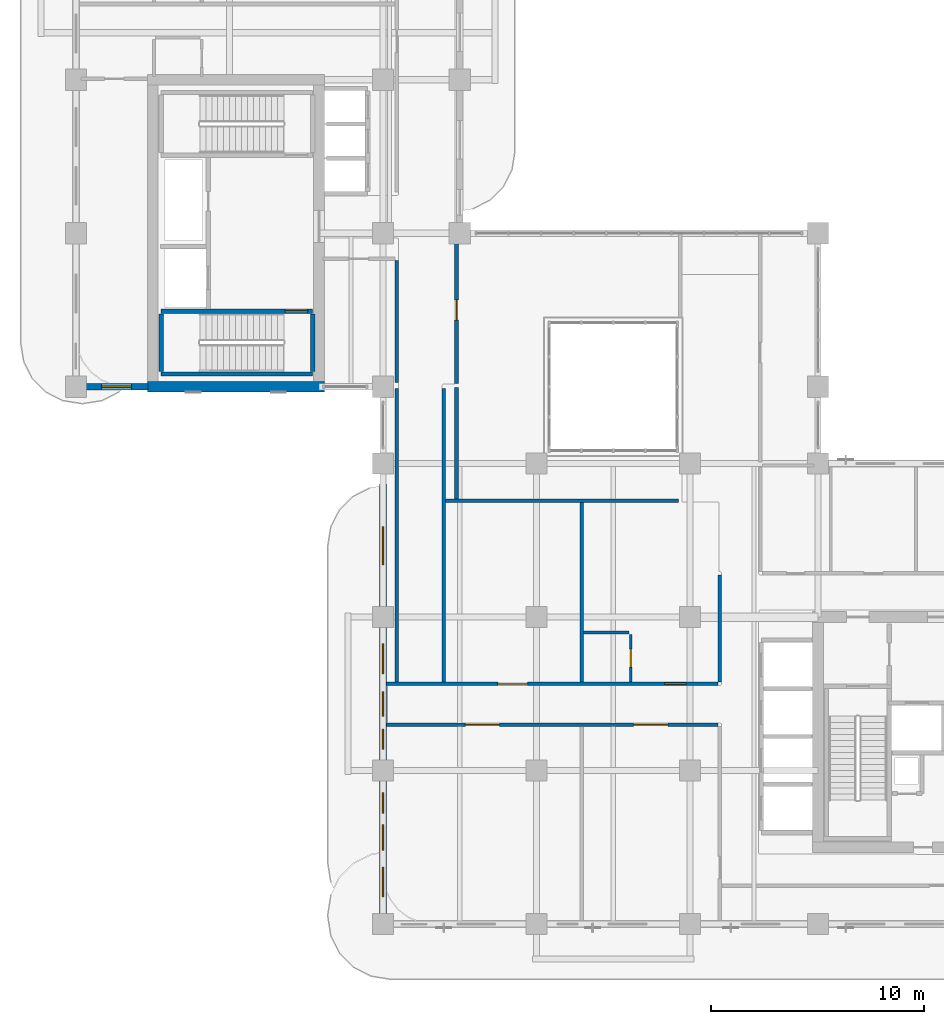
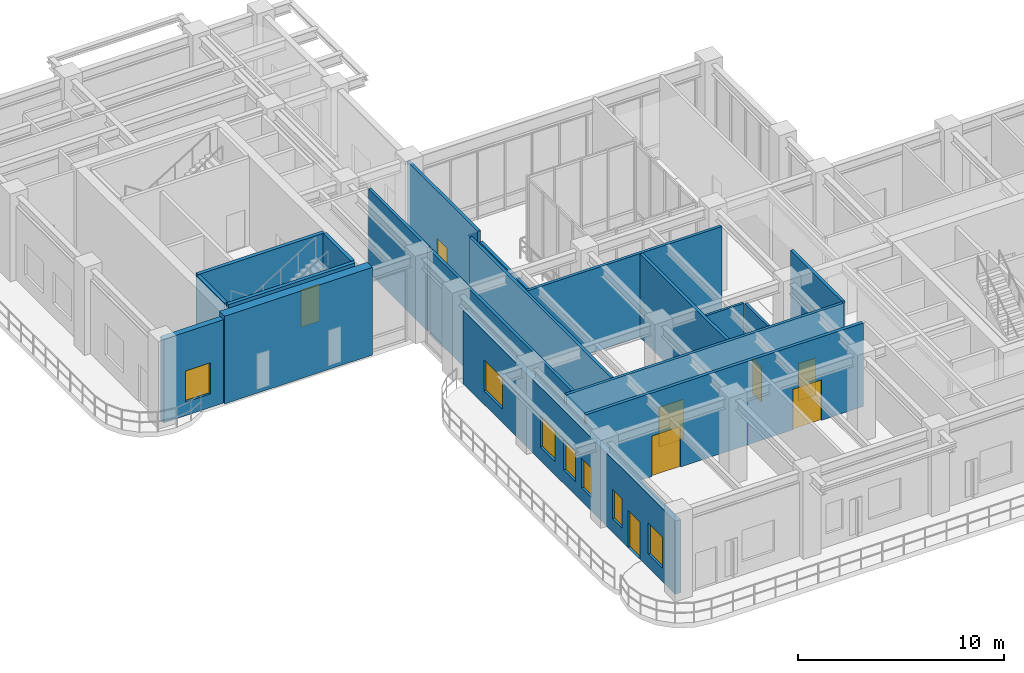
# One storey, part 11 of 21: 19 walls, 8 doors, 7 windows, 15 openings.
"""IFC4 building model written with IfcOpenShell, lengths in metres."""

from ifc_helpers import new_model, si_unit, derived_unit, direction, frame, frame_2d, origin, place, context, subcontext, project, spatial, rectangle, extrude, source, transform, mapped, material, layer, layer_set, type_object, type_shapes, element, fill, save


model = new_model("IFC4")

# Units and contexts
model_context = context("Model", 3, precision=1e-05, world=origin(), true_north=direction((0.0, 1.0)))
body_context = subcontext(model_context, "Body", "Model", "MODEL_VIEW")
ifc_project = project(units=[si_unit("LENGTHUNIT", "METRE"), si_unit("AREAUNIT", "SQUARE_METRE"), si_unit("VOLUMEUNIT", "CUBIC_METRE"), si_unit("PLANEANGLEUNIT", "RADIAN"), si_unit("MASSUNIT", "GRAM", prefix="KILO"), si_unit("THERMODYNAMICTEMPERATUREUNIT", "KELVIN"), si_unit("POWERUNIT", "WATT"), derived_unit("THERMALTRANSMITTANCEUNIT", [(si_unit("POWERUNIT", "WATT"), 1), (si_unit("AREAUNIT", "SQUARE_METRE"), -1), (si_unit("THERMODYNAMICTEMPERATUREUNIT", "KELVIN"), -1)])], contexts=[model_context])

# Site, building, storey
site_placement = place(None, origin())
site = spatial("IfcSite", under=ifc_project, at=site_placement, CompositionType="ELEMENT")
building_placement = place(site_placement, origin())
building = spatial("IfcBuilding", under=site, at=building_placement, Name="Zahravan Archway Hotel and Residences", CompositionType="ELEMENT")
storey_placement = place(building_placement, frame((0.0, 0.0, 145.10009765625)))
storey = spatial("IfcBuildingStorey", under=building, at=storey_placement, Name="L36", CompositionType="ELEMENT", Elevation=145.10009765625)

# Wall
ifc_material_1 = material(Name="Concrete C60/75", Category="concrete")
ifc_layer_1 = layer(ifc_material_1, 0.5, Name="Concrete C60/75", Category="concrete")
ifc_layer_set_1 = layer_set([ifc_layer_1], Name="Concrete C60/75")
wall_type_1 = type_object("IfcWallType", Name="CW-CORE-500", PredefinedType="SHEAR", material=ifc_layer_set_1)
wall_1_placement = place(storey_placement, frame((3.35009765625, 25.199951171875, 0.0), z_axis=(0.0, 0.0, 1.0), x_axis=(1.0, 0.0, 0.0)))
element("IfcWall", 1, at=wall_1_placement, inside=storey, type_object=wall_type_1, Name="L36 Core B Shear S Wall 500 mm", PredefinedType="SHEAR", context=body_context, shape_type="SweptSolid", body=[
    extrude(rectangle(XDim=8.2998046875, YDim=0.5, at=frame_2d((4.14990234375, 0.0))), origin(), (0.0, 0.0, 1.0), 5.199951171875),
])

# Wall, openings, door, windows
ifc_material_2 = material(Name="Agra Buff Sandstone & Insulated Backup", Category="masonry")
ifc_layer_2 = layer(ifc_material_2, 0.320068359375, Name="Agra Buff Sandstone & Insulated Backup", Category="masonry")
ifc_layer_set_2 = layer_set([ifc_layer_2], Name="Agra Buff Sandstone & Insulated Backup")
wall_type_2 = type_object("IfcWallType", Name="EW-SAND-320", PredefinedType="SOLIDWALL", material=ifc_layer_set_2)
wall_2_placement = place(storey_placement, frame((14.39990234375, 0.050048828125, 0.0), z_axis=(0.0, 0.0, 1.0), x_axis=(0.0, 1.0, 0.0)))
wall_2 = element("IfcWall", 2, at=wall_2_placement, inside=storey, type_object=wall_type_2, Name="L36 Exterior Sandstone Wall WA-WL", PredefinedType="SOLIDWALL", context=body_context, shape_type="SweptSolid", body=[
    extrude(rectangle(XDim=20.599853515625, YDim=0.320068359375, at=frame_2d((10.2998046875, 0.0))), origin(), (0.0, 0.0, 1.0), 4.3349609375),
])
opening_1_placement = place(wall_2_placement, frame((3.39990234375, 0.0, 0.0)))
opening_1 = element("IfcOpeningElement", 3, at=opening_1_placement, cuts=wall_2, Name="Opening ED-BL1", PredefinedType="OPENING", context=body_context, shape_type="SweptSolid", body=[
    extrude(rectangle(XDim=1.199951171875, YDim=2.199951171875, at=frame_2d((0.60009765625, 1.10009765625))), frame((0.0, 0.169921875, 0.0), z_axis=(0.0, -1.0, 0.0), x_axis=(1.0, 0.0, 0.0)), (0.0, 0.0, 1.0), 0.340087890625),
])
opening_2_placement = place(wall_2_placement, frame((1.22509765625, 0.0, 0.800048828125)))
opening_2 = element("IfcOpeningElement", 4, at=opening_2_placement, cuts=wall_2, Name="Opening W-03", PredefinedType="OPENING", context=body_context, shape_type="SweptSolid", body=[
    extrude(rectangle(XDim=1.39990234375, YDim=1.85009765625, at=frame_2d((0.699951171875, 0.925048828125))), frame((0.0, 0.169921875, 0.0), z_axis=(0.0, -1.0, 0.0), x_axis=(1.0, 0.0, 0.0)), (0.0, 0.0, 1.0), 0.340087890625),
])
opening_3_placement = place(wall_2_placement, frame((5.14990234375, 0.0, 0.800048828125)))
opening_3 = element("IfcOpeningElement", 5, at=opening_3_placement, cuts=wall_2, Name="Opening W-04", PredefinedType="OPENING", context=body_context, shape_type="SweptSolid", body=[
    extrude(rectangle(XDim=0.949951171875, YDim=1.75, at=frame_2d((0.47509765625, 0.875))), frame((0.0, 0.169921875, 0.0), z_axis=(0.0, -1.0, 0.0), x_axis=(1.0, 0.0, 0.0)), (0.0, 0.0, 1.0), 0.340087890625),
])
opening_4_placement = place(wall_2_placement, frame((8.14599609375, 0.0, 0.800048828125)))
opening_4 = element("IfcOpeningElement", 6, at=opening_4_placement, cuts=wall_2, Name="Opening W-04", PredefinedType="OPENING", context=body_context, shape_type="SweptSolid", body=[
    extrude(rectangle(XDim=0.949951171875, YDim=1.75, at=frame_2d((0.47509765625, 0.875))), frame((0.0, 0.169921875, 0.0), z_axis=(0.0, -1.0, 0.0), x_axis=(1.0, 0.0, 0.0)), (0.0, 0.0, 1.0), 0.340087890625),
])
opening_5_placement = place(wall_2_placement, frame((9.68505859375, 0.0, 0.800048828125)))
opening_5 = element("IfcOpeningElement", 7, at=opening_5_placement, cuts=wall_2, Name="Opening W-05", PredefinedType="OPENING", context=body_context, shape_type="SweptSolid", body=[
    extrude(rectangle(XDim=1.14990234375, YDim=1.800048828125, at=frame_2d((0.574951171875, 0.89990234375))), frame((0.0, 0.169921875, 0.0), z_axis=(0.0, -1.0, 0.0), x_axis=(1.0, 0.0, 0.0)), (0.0, 0.0, 1.0), 0.340087890625),
])
opening_6_placement = place(wall_2_placement, frame((11.68896484375, 0.0, 0.800048828125)))
opening_6 = element("IfcOpeningElement", 8, at=opening_6_placement, cuts=wall_2, Name="Opening W-03", PredefinedType="OPENING", context=body_context, shape_type="SweptSolid", body=[
    extrude(rectangle(XDim=1.39990234375, YDim=1.85009765625, at=frame_2d((0.699951171875, 0.925048828125))), frame((0.0, 0.169921875, 0.0), z_axis=(0.0, -1.0, 0.0), x_axis=(1.0, 0.0, 0.0)), (0.0, 0.0, 1.0), 0.340087890625),
])
opening_7_placement = place(wall_2_placement, frame((16.7900390625, 0.0, 0.800048828125)))
opening_7 = element("IfcOpeningElement", 9, at=opening_7_placement, cuts=wall_2, Name="Opening W-02", PredefinedType="OPENING", context=body_context, shape_type="SweptSolid", body=[
    extrude(rectangle(XDim=1.800048828125, YDim=1.85009765625, at=frame_2d((0.89990234375, 0.925048828125))), frame((0.0, 0.169921875, 0.0), z_axis=(0.0, -1.0, 0.0), x_axis=(1.0, 0.0, 0.0)), (0.0, 0.0, 1.0), 0.340087890625),
])
ifc_material_3 = material(Name="Bronze-Anodized Glazed Aluminium", Category="aluminium")
door_type_1 = type_object("IfcDoorType", Name="ED-BALC-1200", OperationType="SLIDING_TO_LEFT", PredefinedType="DOOR", material=ifc_material_3)
shared_shape_1 = source(origin(), body_context, "Body", "SweptSolid", [
    extrude(rectangle(XDim=1.199951171875, YDim=2.199951171875, at=frame_2d((0.60009765625, 1.10009765625))), frame((0.0, 0.02490234375, 0.0), z_axis=(0.0, -1.0, 0.0), x_axis=(1.0, 0.0, 0.0)), (0.0, 0.0, 1.0), 0.050048828125),
])
type_shapes(door_type_1, [shared_shape_1])
door_1_placement = place(opening_1_placement, origin())
door_1 = element("IfcDoor", 10, at=door_1_placement, inside=storey, type_object=door_type_1, Name="L36 Outdoor Access Sliding Door (SLB-BAL-L36-WA)", OperationType="SLIDING_TO_LEFT", OverallHeight=2.199951171875, OverallWidth=1.199951171875, PredefinedType="DOOR", context=body_context, shape_type="MappedRepresentation", body=[
    mapped(shared_shape_1, transform((0.0, 0.0, 0.0), scale=1.0)),
])
fill(opening_1, door_1)
ifc_material_4 = material(Name="Bronze-Anodized Thermal-Break Aluminium & Low-E Glass", Category="aluminium")
window_type_1 = type_object("IfcWindowType", Name="WIN-TWR-1400", PartitioningType="SINGLE_PANEL", PredefinedType="WINDOW", material=ifc_material_4)
shared_shape_2 = source(origin(), body_context, "Body", "SweptSolid", [
    extrude(rectangle(XDim=1.39990234375, YDim=1.85009765625, at=frame_2d((0.699951171875, 0.925048828125))), frame((0.0, 0.030029296875, 0.0), z_axis=(0.0, -1.0, 0.0), x_axis=(1.0, 0.0, 0.0)), (0.0, 0.0, 1.0), 0.06005859375),
])
type_shapes(window_type_1, [shared_shape_2])
window_1_placement = place(opening_2_placement, origin())
window_1 = element("IfcWindow", 11, at=window_1_placement, inside=storey, type_object=window_type_1, Name="L36 Loggia Window 14", OverallHeight=1.85009765625, OverallWidth=1.39990234375, PartitioningType="SINGLE_PANEL", PredefinedType="WINDOW", context=body_context, shape_type="MappedRepresentation", body=[
    mapped(shared_shape_2, transform((0.0, 0.0, 0.0), scale=1.0)),
])
fill(opening_2, window_1)
window_2_placement = place(opening_6_placement, origin())
window_2 = element("IfcWindow", 12, at=window_2_placement, inside=storey, type_object=window_type_1, Name="L36 Loggia Window 18", OverallHeight=1.85009765625, OverallWidth=1.39990234375, PartitioningType="SINGLE_PANEL", PredefinedType="WINDOW", context=body_context, shape_type="MappedRepresentation", body=[
    mapped(shared_shape_2, transform((0.0, 0.0, 0.0), scale=1.0)),
])
fill(opening_6, window_2)
window_type_2 = type_object("IfcWindowType", Name="WIN-NAR-950", PartitioningType="SINGLE_PANEL", PredefinedType="WINDOW", material=ifc_material_4)
shared_shape_3 = source(origin(), body_context, "Body", "SweptSolid", [
    extrude(rectangle(XDim=0.949951171875, YDim=1.75, at=frame_2d((0.47509765625, 0.875))), frame((0.0, 0.030029296875, 0.0), z_axis=(0.0, -1.0, 0.0), x_axis=(1.0, 0.0, 0.0)), (0.0, 0.0, 1.0), 0.06005859375),
])
type_shapes(window_type_2, [shared_shape_3])
window_3_placement = place(opening_3_placement, origin())
window_3 = element("IfcWindow", 13, at=window_3_placement, inside=storey, type_object=window_type_2, Name="L36 Loggia Window 15", OverallHeight=1.75, OverallWidth=0.949951171875, PartitioningType="SINGLE_PANEL", PredefinedType="WINDOW", context=body_context, shape_type="MappedRepresentation", body=[
    mapped(shared_shape_3, transform((0.0, 0.0, 0.0), scale=1.0)),
])
fill(opening_3, window_3)
window_4_placement = place(opening_4_placement, origin())
window_4 = element("IfcWindow", 14, at=window_4_placement, inside=storey, type_object=window_type_2, Name="L36 Loggia Window 16", OverallHeight=1.75, OverallWidth=0.949951171875, PartitioningType="SINGLE_PANEL", PredefinedType="WINDOW", context=body_context, shape_type="MappedRepresentation", body=[
    mapped(shared_shape_3, transform((0.0, 0.0, 0.0), scale=1.0)),
])
fill(opening_4, window_4)
window_type_3 = type_object("IfcWindowType", Name="WIN-TWR-1800", PartitioningType="DOUBLE_PANEL_VERTICAL", PredefinedType="WINDOW", material=ifc_material_4)
shared_shape_4 = source(origin(), body_context, "Body", "SweptSolid", [
    extrude(rectangle(XDim=1.800048828125, YDim=1.85009765625, at=frame_2d((0.89990234375, 0.925048828125))), frame((0.0, 0.030029296875, 0.0), z_axis=(0.0, -1.0, 0.0), x_axis=(1.0, 0.0, 0.0)), (0.0, 0.0, 1.0), 0.06005859375),
])
type_shapes(window_type_3, [shared_shape_4])
window_5_placement = place(opening_7_placement, origin())
window_5 = element("IfcWindow", 15, at=window_5_placement, inside=storey, type_object=window_type_3, Name="L36 Loggia Window 19", OverallHeight=1.85009765625, OverallWidth=1.800048828125, PartitioningType="DOUBLE_PANEL_VERTICAL", PredefinedType="WINDOW", context=body_context, shape_type="MappedRepresentation", body=[
    mapped(shared_shape_4, transform((0.0, 0.0, 0.0), scale=1.0)),
])
fill(opening_7, window_5)
window_type_4 = type_object("IfcWindowType", Name="WIN-TWR-1150", PartitioningType="SINGLE_PANEL", PredefinedType="WINDOW", material=ifc_material_4)
shared_shape_5 = source(origin(), body_context, "Body", "SweptSolid", [
    extrude(rectangle(XDim=1.14990234375, YDim=1.800048828125, at=frame_2d((0.574951171875, 0.89990234375))), frame((0.0, 0.030029296875, 0.0), z_axis=(0.0, -1.0, 0.0), x_axis=(1.0, 0.0, 0.0)), (0.0, 0.0, 1.0), 0.06005859375),
])
type_shapes(window_type_4, [shared_shape_5])
window_6_placement = place(opening_5_placement, origin())
window_6 = element("IfcWindow", 16, at=window_6_placement, inside=storey, type_object=window_type_4, Name="L36 Loggia Window 17", OverallHeight=1.800048828125, OverallWidth=1.14990234375, PartitioningType="SINGLE_PANEL", PredefinedType="WINDOW", context=body_context, shape_type="MappedRepresentation", body=[
    mapped(shared_shape_5, transform((0.0, 0.0, 0.0), scale=1.0)),
])
fill(opening_5, window_6)

# Wall, opening, window
wall_3_placement = place(storey_placement, frame((0.0, 25.199951171875, 0.0), z_axis=(0.0, 0.0, 1.0), x_axis=(1.0, 0.0, 0.0)))
wall_3 = element("IfcWall", 17, at=wall_3_placement, inside=storey, type_object=wall_type_2, Name="L36 Exterior Sandstone Wall WB-SW", PredefinedType="SOLIDWALL", context=body_context, shape_type="SweptSolid", body=[
    extrude(rectangle(XDim=3.3798828125, YDim=0.320068359375, at=frame_2d((1.68994140625, 0.0))), origin(), (0.0, 0.0, 1.0), 4.949951171875),
])
opening_8_placement = place(wall_3_placement, frame((1.205078125, 0.0, 0.800048828125)))
opening_8 = element("IfcOpeningElement", 18, at=opening_8_placement, cuts=wall_3, Name="Opening W-03", PredefinedType="OPENING", context=body_context, shape_type="SweptSolid", body=[
    extrude(rectangle(XDim=1.39990234375, YDim=1.85009765625, at=frame_2d((0.699951171875, 0.925048828125))), frame((0.0, 0.169921875, 0.0), z_axis=(0.0, -1.0, 0.0), x_axis=(1.0, 0.0, 0.0)), (0.0, 0.0, 1.0), 0.340087890625),
])
window_7_placement = place(opening_8_placement, origin())
window_7 = element("IfcWindow", 19, at=window_7_placement, inside=storey, type_object=window_type_1, Name="L36 Loggia Window 20", OverallHeight=1.85009765625, OverallWidth=1.39990234375, PartitioningType="SINGLE_PANEL", PredefinedType="WINDOW", context=body_context, shape_type="MappedRepresentation", body=[
    mapped(shared_shape_2, transform((0.0, 0.0, 0.0), scale=1.0)),
])
fill(opening_8, window_7)

# Wall, openings, doors
ifc_material_5 = material(Name="Fire-Rated Gypsum & Concrete Block", Category="concrete")
ifc_layer_3 = layer(ifc_material_5, 0.159912109375, Name="Fire-Rated Gypsum & Concrete Block", Category="concrete")
ifc_layer_set_3 = layer_set([ifc_layer_3], Name="Fire-Rated Gypsum & Concrete Block")
wall_type_3 = type_object("IfcWallType", Name="PW-CORR-160", PredefinedType="PARTITIONING", material=ifc_layer_set_3)
wall_4_placement = place(storey_placement, frame((14.568115234375, 11.27001953125, 0.0), z_axis=(0.0, 0.0, 1.0), x_axis=(1.0, 0.0, 0.0)))
wall_4 = element("IfcWall", 20, at=wall_4_placement, inside=storey, type_object=wall_type_3, Name="L36 Partition WA-CN", PredefinedType="PARTITIONING", context=body_context, shape_type="SweptSolid", body=[
    extrude(rectangle(XDim=15.5419921875, YDim=0.159912109375, at=frame_2d((7.77099609375, 0.0))), origin(), (0.0, 0.0, 1.0), 4.949951171875),
])
opening_9_placement = place(wall_4_placement, frame((5.217041015625, 0.0, 0.0)))
opening_9 = element("IfcOpeningElement", 21, at=opening_9_placement, cuts=wall_4, Name="Opening D-P1", PredefinedType="OPENING", context=body_context, shape_type="SweptSolid", body=[
    extrude(rectangle(XDim=1.39990234375, YDim=2.35009765625, at=frame_2d((0.699951171875, 1.175048828125))), frame((0.0, 0.08984375, 0.0), z_axis=(0.0, -1.0, 0.0), x_axis=(1.0, 0.0, 0.0)), (0.0, 0.0, 1.0), 0.179931640625),
])
opening_10_placement = place(wall_4_placement, frame((13.0419921875, 0.0, 0.0)))
opening_10 = element("IfcOpeningElement", 22, at=opening_10_placement, cuts=wall_4, Name="Opening D-U2", PredefinedType="OPENING", context=body_context, shape_type="SweptSolid", body=[
    extrude(rectangle(XDim=1.0, YDim=2.199951171875, at=frame_2d((0.5, 1.10009765625))), frame((0.0, 0.08984375, 0.0), z_axis=(0.0, -1.0, 0.0), x_axis=(1.0, 0.0, 0.0)), (0.0, 0.0, 1.0), 0.179931640625),
])
door_type_2 = type_object("IfcDoorType", Name="ID-PUBLIC-1400", OperationType="DOUBLE_DOOR_SINGLE_SWING", PredefinedType="DOOR", material=ifc_material_3)
shared_shape_6 = source(origin(), body_context, "Body", "SweptSolid", [
    extrude(rectangle(XDim=1.39990234375, YDim=2.35009765625, at=frame_2d((0.699951171875, 1.175048828125))), frame((0.0, 0.02490234375, 0.0), z_axis=(0.0, -1.0, 0.0), x_axis=(1.0, 0.0, 0.0)), (0.0, 0.0, 1.0), 0.050048828125),
])
type_shapes(door_type_2, [shared_shape_6])
door_2_placement = place(opening_9_placement, origin())
door_2 = element("IfcDoor", 23, at=door_2_placement, inside=storey, type_object=door_type_2, Name="L36 Atrium Lounge Door", OperationType="DOUBLE_DOOR_SINGLE_SWING", OverallHeight=2.35009765625, OverallWidth=1.39990234375, PredefinedType="DOOR", context=body_context, shape_type="MappedRepresentation", body=[
    mapped(shared_shape_6, transform((0.0, 0.0, 0.0), scale=1.0)),
])
fill(opening_9, door_2)
ifc_material_6 = material(Name="Hardwood Veneer Timber", Category="wood")
door_type_3 = type_object("IfcDoorType", Name="ID-UNIT-1000", OperationType="NOTDEFINED", PredefinedType="DOOR", material=ifc_material_6)
shared_shape_7 = source(origin(), body_context, "Body", "SweptSolid", [
    extrude(rectangle(XDim=1.0, YDim=2.199951171875, at=frame_2d((0.5, 1.10009765625))), frame((0.0, 0.02490234375, 0.0), z_axis=(0.0, -1.0, 0.0), x_axis=(1.0, 0.0, 0.0)), (0.0, 0.0, 1.0), 0.050048828125),
])
type_shapes(door_type_3, [shared_shape_7])
door_3_placement = place(opening_10_placement, origin())
door_3 = element("IfcDoor", 24, at=door_3_placement, inside=storey, type_object=door_type_3, Name="L36 Hotel Guestroom 51 Entrance Door", OperationType="SINGLE_SWING_RIGHT", OverallHeight=2.199951171875, OverallWidth=1.0, PredefinedType="DOOR", context=body_context, shape_type="MappedRepresentation", body=[
    mapped(shared_shape_7, transform((0.0, 0.0, 0.0), scale=1.0)),
])
fill(opening_10, door_3)

# Walls
wall_5_placement = place(storey_placement, frame((30.199951171875, 11.360107421875, 0.0), z_axis=(0.0, 0.0, 1.0), x_axis=(0.0, 1.0, 0.0)))
element("IfcWall", 25, at=wall_5_placement, inside=storey, type_object=wall_type_3, Name="L36 Partition WA-FW", PredefinedType="PARTITIONING", context=body_context, shape_type="SweptSolid", body=[
    extrude(rectangle(XDim=5.0, YDim=0.159912109375, at=frame_2d((2.5, 0.0))), origin(), (0.0, 0.0, 1.0), 4.949951171875),
])
for number, where, z_axis, x_axis, name in (
    (26, (15.050048828125, 11.360107421875, 0.0), (0.0, 0.0, 1.0), (0.0, 1.0, 0.0), "L36 Partition LNK-W"),
    (27, (17.25, 11.360107421875, 0.0), (0.0, 0.0, 1.0), (0.0, 1.0, 0.0), "L36 Partition LNK-E"),
):
    element("IfcWall", number, at=place(storey_placement, frame(where, z_axis=z_axis, x_axis=x_axis)), inside=storey, type_object=wall_type_3, Name=name, PredefinedType="PARTITIONING", context=body_context, shape_type="SweptSolid", body=[
        extrude(rectangle(XDim=13.75, YDim=0.159912109375, at=frame_2d((6.875, 0.0))), origin(), (0.0, 0.0, 1.0), 4.949951171875),
    ])
wall_6_placement = place(storey_placement, frame((15.050048828125, 25.389892578125, 0.0), z_axis=(0.0, 0.0, 1.0), x_axis=(0.0, 1.0, 0.0)))
element("IfcWall", 28, at=wall_6_placement, inside=storey, type_object=wall_type_3, Name="L36 Partition FB1-E", PredefinedType="PARTITIONING", context=body_context, shape_type="SweptSolid", body=[
    extrude(rectangle(XDim=5.72021484375, YDim=0.159912109375, at=frame_2d((2.860107421875, 0.0))), origin(), (0.0, 0.0, 1.0), 4.949951171875),
])
wall_7_placement = place(storey_placement, frame((17.340087890625, 19.85009765625, 0.0), z_axis=(0.0, 0.0, 1.0), x_axis=(1.0, 0.0, 0.0)))
element("IfcWall", 29, at=wall_7_placement, inside=storey, type_object=wall_type_3, Name="L36 Partition ATR-S", PredefinedType="PARTITIONING", context=body_context, shape_type="SweptSolid", body=[
    extrude(rectangle(XDim=10.919921875, YDim=0.159912109375, at=frame_2d((5.4599609375, 0.0))), origin(), (0.0, 0.0, 1.0), 4.949951171875),
])

# Wall, openings, doors
ifc_layer_4 = layer(ifc_material_5, 0.179931640625, Name="Fire-Rated Gypsum & Concrete Block", Category="concrete")
ifc_layer_set_4 = layer_set([ifc_layer_4], Name="Fire-Rated Gypsum & Concrete Block")
wall_type_4 = type_object("IfcWallType", Name="PW-CORR-180", PredefinedType="PARTITIONING", material=ifc_layer_set_4)
wall_8_placement = place(storey_placement, frame((14.568115234375, 9.35009765625, 0.0), z_axis=(0.0, 0.0, 1.0), x_axis=(1.0, 0.0, 0.0)))
wall_8 = element("IfcWall", 30, at=wall_8_placement, inside=storey, type_object=wall_type_4, Name="L36 Partition WA-CS", PredefinedType="PARTITIONING", context=body_context, shape_type="SweptSolid", body=[
    extrude(rectangle(XDim=15.5419921875, YDim=0.179931640625, at=frame_2d((7.77099609375, 0.0))), origin(), (0.0, 0.0, 1.0), 4.949951171875),
])
opening_11_placement = place(wall_8_placement, frame((3.69189453125, 0.0, 0.0)))
opening_11 = element("IfcOpeningElement", 31, at=opening_11_placement, cuts=wall_8, Name="Opening D-P2", PredefinedType="OPENING", context=body_context, shape_type="SweptSolid", body=[
    extrude(rectangle(XDim=1.60009765625, YDim=2.39990234375, at=frame_2d((0.800048828125, 1.199951171875))), frame((0.0, 0.10009765625, 0.0), z_axis=(0.0, -1.0, 0.0), x_axis=(1.0, 0.0, 0.0)), (0.0, 0.0, 1.0), 0.199951171875),
])
opening_12_placement = place(wall_8_placement, frame((11.592041015625, 0.0, 0.0)))
opening_12 = element("IfcOpeningElement", 32, at=opening_12_placement, cuts=wall_8, Name="Opening D-P2", PredefinedType="OPENING", context=body_context, shape_type="SweptSolid", body=[
    extrude(rectangle(XDim=1.60009765625, YDim=2.39990234375, at=frame_2d((0.800048828125, 1.199951171875))), frame((0.0, 0.10009765625, 0.0), z_axis=(0.0, -1.0, 0.0), x_axis=(1.0, 0.0, 0.0)), (0.0, 0.0, 1.0), 0.199951171875),
])
door_type_4 = type_object("IfcDoorType", Name="ID-PUBLIC-1600", OperationType="DOUBLE_DOOR_SINGLE_SWING", PredefinedType="DOOR", material=ifc_material_3)
shared_shape_8 = source(origin(), body_context, "Body", "SweptSolid", [
    extrude(rectangle(XDim=1.60009765625, YDim=2.39990234375, at=frame_2d((0.800048828125, 1.199951171875))), frame((0.0, 0.02490234375, 0.0), z_axis=(0.0, -1.0, 0.0), x_axis=(1.0, 0.0, 0.0)), (0.0, 0.0, 1.0), 0.050048828125),
])
type_shapes(door_type_4, [shared_shape_8])
door_4_placement = place(opening_11_placement, origin())
door_4 = element("IfcDoor", 33, at=door_4_placement, inside=storey, type_object=door_type_4, Name="L36 Sky Lobby Concourse Door", OperationType="DOUBLE_DOOR_SINGLE_SWING", OverallHeight=2.39990234375, OverallWidth=1.60009765625, PredefinedType="DOOR", context=body_context, shape_type="MappedRepresentation", body=[
    mapped(shared_shape_8, transform((0.0, 0.0, 0.0), scale=1.0)),
])
fill(opening_11, door_4)
door_5_placement = place(opening_12_placement, origin())
door_5 = element("IfcDoor", 34, at=door_5_placement, inside=storey, type_object=door_type_4, Name="L36 VIP Majlis Door", OperationType="DOUBLE_DOOR_SINGLE_SWING", OverallHeight=2.39990234375, OverallWidth=1.60009765625, PredefinedType="DOOR", context=body_context, shape_type="MappedRepresentation", body=[
    mapped(shared_shape_8, transform((0.0, 0.0, 0.0), scale=1.0)),
])
fill(opening_12, door_5)

# Wall
ifc_material_7 = material(Name="Acoustic Stud Partition")
ifc_layer_5 = layer(ifc_material_7, 0.169921875, Name="Acoustic Stud Partition")
ifc_layer_set_5 = layer_set([ifc_layer_5], Name="Acoustic Stud Partition")
wall_type_5 = type_object("IfcWallType", Name="PW-UNIT-170", PredefinedType="PARTITIONING", material=ifc_layer_set_5)
wall_9_placement = place(storey_placement, frame((17.85009765625, 19.93994140625, 0.0), z_axis=(0.0, 0.0, 1.0), x_axis=(0.0, 1.0, 0.0)))
element("IfcWall", 35, at=wall_9_placement, inside=storey, type_object=wall_type_5, Name="L36 Partition ATR-NWSL", PredefinedType="PARTITIONING", context=body_context, shape_type="SweptSolid", body=[
    extrude(rectangle(XDim=5.219970703125, YDim=0.169921875, at=frame_2d((2.60986328125, 0.0))), origin(), (0.0, 0.0, 1.0), 4.434814453125),
])

# Wall, opening, door
wall_10_placement = place(storey_placement, frame((17.85009765625, 25.340087890625, 0.0), z_axis=(0.0, 0.0, 1.0), x_axis=(0.0, 1.0, 0.0)))
wall_10 = element("IfcWall", 36, at=wall_10_placement, inside=storey, type_object=wall_type_5, Name="L36 Partition ATR-W2", PredefinedType="PARTITIONING", context=body_context, shape_type="SweptSolid", body=[
    extrude(rectangle(XDim=6.869873046875, YDim=0.169921875, at=frame_2d((3.43505859375, 0.0))), origin(), (0.0, 0.0, 1.0), 4.949951171875),
])
opening_13_placement = place(wall_10_placement, frame((2.985107421875, 0.0, 0.0)))
opening_13 = element("IfcOpeningElement", 37, at=opening_13_placement, cuts=wall_10, Name="Opening D-I1", PredefinedType="OPENING", context=body_context, shape_type="SweptSolid", body=[
    extrude(rectangle(XDim=0.949951171875, YDim=2.14990234375, at=frame_2d((0.47509765625, 1.074951171875))), frame((0.0, 0.094970703125, 0.0), z_axis=(0.0, -1.0, 0.0), x_axis=(1.0, 0.0, 0.0)), (0.0, 0.0, 1.0), 0.18994140625),
])
door_type_5 = type_object("IfcDoorType", Name="ID-INT-950", OperationType="NOTDEFINED", PredefinedType="DOOR", material=ifc_material_6)
shared_shape_9 = source(origin(), body_context, "Body", "SweptSolid", [
    extrude(rectangle(XDim=0.949951171875, YDim=2.14990234375, at=frame_2d((0.47509765625, 1.074951171875))), frame((0.0, 0.02490234375, 0.0), z_axis=(0.0, -1.0, 0.0), x_axis=(1.0, 0.0, 0.0)), (0.0, 0.0, 1.0), 0.050048828125),
])
type_shapes(door_type_5, [shared_shape_9])
door_6_placement = place(opening_13_placement, origin())
door_6 = element("IfcDoor", 38, at=door_6_placement, inside=storey, type_object=door_type_5, Name="L36 Atrium North-West Salon Door", OperationType="SINGLE_SWING_LEFT", OverallHeight=2.14990234375, OverallWidth=0.949951171875, PredefinedType="DOOR", context=body_context, shape_type="MappedRepresentation", body=[
    mapped(shared_shape_9, transform((0.0, 0.0, 0.0), scale=1.0)),
])
fill(opening_13, door_6)

# Wall
wall_11_placement = place(storey_placement, frame((23.719970703125, 11.360107421875, 0.0), z_axis=(0.0, 0.0, 1.0), x_axis=(0.0, 1.0, 0.0)))
element("IfcWall", 39, at=wall_11_placement, inside=storey, type_object=wall_type_5, Name="L36 Partition ATN-0", PredefinedType="PARTITIONING", context=body_context, shape_type="SweptSolid", body=[
    extrude(rectangle(XDim=8.39990234375, YDim=0.169921875, at=frame_2d((4.199951171875, 0.0))), origin(), (0.0, 0.0, 1.0), 4.949951171875),
])

# Wall, opening, door
ifc_material_8 = material(Name="Moisture-Resistant Blockwork", Category="masonry")
ifc_layer_6 = layer(ifc_material_8, 0.139892578125, Name="Moisture-Resistant Blockwork", Category="masonry")
ifc_layer_set_6 = layer_set([ifc_layer_6], Name="Moisture-Resistant Blockwork")
wall_type_6 = type_object("IfcWallType", Name="PW-WET-140", PredefinedType="PARTITIONING", material=ifc_layer_set_6)
wall_12_placement = place(storey_placement, frame((26.02001953125, 11.360107421875, 0.0), z_axis=(0.0, 0.0, 1.0), x_axis=(0.0, 1.0, 0.0)))
wall_12 = element("IfcWall", 40, at=wall_12_placement, inside=storey, type_object=wall_type_6, Name="L36 Partition HKB-V51", PredefinedType="PARTITIONING", context=body_context, shape_type="SweptSolid", body=[
    extrude(rectangle(XDim=2.219970703125, YDim=0.139892578125, at=frame_2d((1.10986328125, 0.0))), origin(), (0.0, 0.0, 1.0), 4.949951171875),
])
opening_14_placement = place(wall_12_placement, frame((0.68505859375, 0.0, 0.0)))
opening_14 = element("IfcOpeningElement", 41, at=opening_14_placement, cuts=wall_12, Name="Opening D-B1", PredefinedType="OPENING", context=body_context, shape_type="SweptSolid", body=[
    extrude(rectangle(XDim=0.85009765625, YDim=2.10009765625, at=frame_2d((0.425048828125, 1.050048828125))), frame((0.0, 0.080078125, 0.0), z_axis=(0.0, -1.0, 0.0), x_axis=(1.0, 0.0, 0.0)), (0.0, 0.0, 1.0), 0.159912109375),
])
door_type_6 = type_object("IfcDoorType", Name="ID-BATH-850", OperationType="NOTDEFINED", PredefinedType="DOOR", material=ifc_material_6)
shared_shape_10 = source(origin(), body_context, "Body", "SweptSolid", [
    extrude(rectangle(XDim=0.85009765625, YDim=2.10009765625, at=frame_2d((0.425048828125, 1.050048828125))), frame((0.0, 0.02490234375, 0.0), z_axis=(0.0, -1.0, 0.0), x_axis=(1.0, 0.0, 0.0)), (0.0, 0.0, 1.0), 0.050048828125),
])
type_shapes(door_type_6, [shared_shape_10])
door_7_placement = place(opening_14_placement, origin())
door_7 = element("IfcDoor", 42, at=door_7_placement, inside=storey, type_object=door_type_6, Name="L36 Guestroom 51 En-Suite Door", OperationType="SINGLE_SWING_LEFT", OverallHeight=2.10009765625, OverallWidth=0.85009765625, PredefinedType="DOOR", context=body_context, shape_type="MappedRepresentation", body=[
    mapped(shared_shape_10, transform((0.0, 0.0, 0.0), scale=1.0)),
])
fill(opening_14, door_7)

# Walls
wall_13_placement = place(storey_placement, frame((23.81005859375, 13.669921875, 0.0), z_axis=(0.0, 0.0, 1.0), x_axis=(1.0, 0.0, 0.0)))
element("IfcWall", 43, at=wall_13_placement, inside=storey, type_object=wall_type_6, Name="L36 Partition HKB-H51", PredefinedType="PARTITIONING", context=body_context, shape_type="SweptSolid", body=[
    extrude(rectangle(XDim=2.119873046875, YDim=0.139892578125, at=frame_2d((1.06005859375, 0.0))), origin(), (0.0, 0.0, 1.0), 4.949951171875),
])
ifc_material_9 = material(Name="Concrete C50/60", Category="concrete")
ifc_layer_7 = layer(ifc_material_9, 0.199951171875, Name="Concrete C50/60", Category="concrete")
ifc_layer_set_7 = layer_set([ifc_layer_7], Name="Concrete C50/60")
wall_type_7 = type_object("IfcWallType", Name="SW-STAIR-200", PredefinedType="SHEAR", material=ifc_layer_set_7)
wall_14_placement = place(storey_placement, frame((4.0, 25.800048828125, 0.0), z_axis=(0.0, 0.0, 1.0), x_axis=(1.0, 0.0, 0.0)))
element("IfcWall", 44, at=wall_14_placement, inside=storey, type_object=wall_type_7, Name="L36 Stairwell RC Wall CB-SB1S", PredefinedType="SHEAR", context=body_context, shape_type="SweptSolid", body=[
    extrude(rectangle(XDim=7.10009765625, YDim=0.199951171875, at=frame_2d((3.550048828125, 0.0))), origin(), (0.0, 0.0, 1.0), 5.199951171875),
])
for number, where, z_axis, x_axis, name in (
    (45, (4.0, 25.919921875, 0.0), (0.0, 0.0, 1.0), (0.0, 1.0, 0.0), "L36 Stairwell RC Wall CB-SB1W"),
    (46, (11.10009765625, 25.919921875, 0.0), (0.0, 0.0, 1.0), (0.0, 1.0, 0.0), "L36 Stairwell RC Wall CB-SB1E"),
):
    element("IfcWall", number, at=place(storey_placement, frame(where, z_axis=z_axis, x_axis=x_axis)), inside=storey, type_object=wall_type_7, Name=name, PredefinedType="SHEAR", context=body_context, shape_type="SweptSolid", body=[
        extrude(rectangle(XDim=2.7001953125, YDim=0.199951171875, at=frame_2d((1.35009765625, 0.0))), origin(), (0.0, 0.0, 1.0), 5.199951171875),
    ])

# Wall, opening, door
wall_15_placement = place(storey_placement, frame((4.0, 28.739990234375, 0.0), z_axis=(0.0, 0.0, 1.0), x_axis=(1.0, 0.0, 0.0)))
wall_15 = element("IfcWall", 47, at=wall_15_placement, inside=storey, type_object=wall_type_7, Name="L36 Stairwell RC Wall CB-SB1N", PredefinedType="SHEAR", context=body_context, shape_type="SweptSolid", body=[
    extrude(rectangle(XDim=7.10009765625, YDim=0.199951171875, at=frame_2d((3.550048828125, 0.0))), origin(), (0.0, 0.0, 1.0), 5.199951171875),
])
opening_15_placement = place(wall_15_placement, frame((5.81494140625, 0.0, 0.0)))
opening_15 = element("IfcOpeningElement", 48, at=opening_15_placement, cuts=wall_15, Name="Opening FD-S1", PredefinedType="OPENING", context=body_context, shape_type="SweptSolid", body=[
    extrude(rectangle(XDim=1.050048828125, YDim=2.199951171875, at=frame_2d((0.52490234375, 1.10009765625))), frame((0.0, 0.10986328125, 0.0), z_axis=(0.0, -1.0, 0.0), x_axis=(1.0, 0.0, 0.0)), (0.0, 0.0, 1.0), 0.219970703125),
])
ifc_material_10 = material(Name="Fire-Rated Painted Steel", Category="steel")
door_type_7 = type_object("IfcDoorType", Name="FD-STAIR-1100", OperationType="NOTDEFINED", PredefinedType="DOOR", material=ifc_material_10)
shared_shape_11 = source(origin(), body_context, "Body", "SweptSolid", [
    extrude(rectangle(XDim=1.050048828125, YDim=2.199951171875, at=frame_2d((0.52490234375, 1.10009765625))), frame((0.0, 0.02490234375, 0.0), z_axis=(0.0, -1.0, 0.0), x_axis=(1.0, 0.0, 0.0)), (0.0, 0.0, 1.0), 0.050048828125),
])
type_shapes(door_type_7, [shared_shape_11])
door_8_placement = place(opening_15_placement, origin())
door_8 = element("IfcDoor", 49, at=door_8_placement, inside=storey, type_object=door_type_7, Name="L36 Stair ST-B1 Door", OperationType="SINGLE_SWING_RIGHT", OverallHeight=2.199951171875, OverallWidth=1.050048828125, PredefinedType="DOOR", context=body_context, shape_type="MappedRepresentation", body=[
    mapped(shared_shape_11, transform((0.0, 0.0, 0.0), scale=1.0)),
])
fill(opening_15, door_8)

save(model, "model.ifc")
